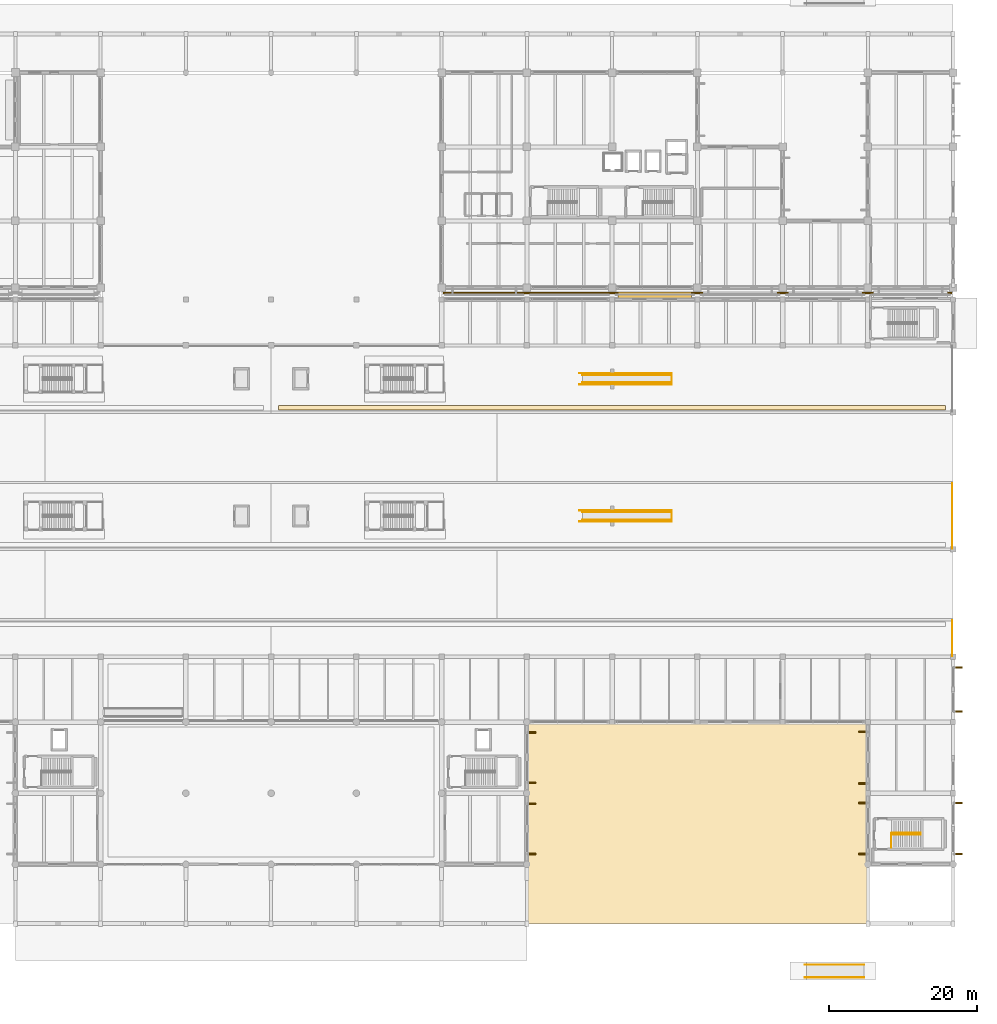
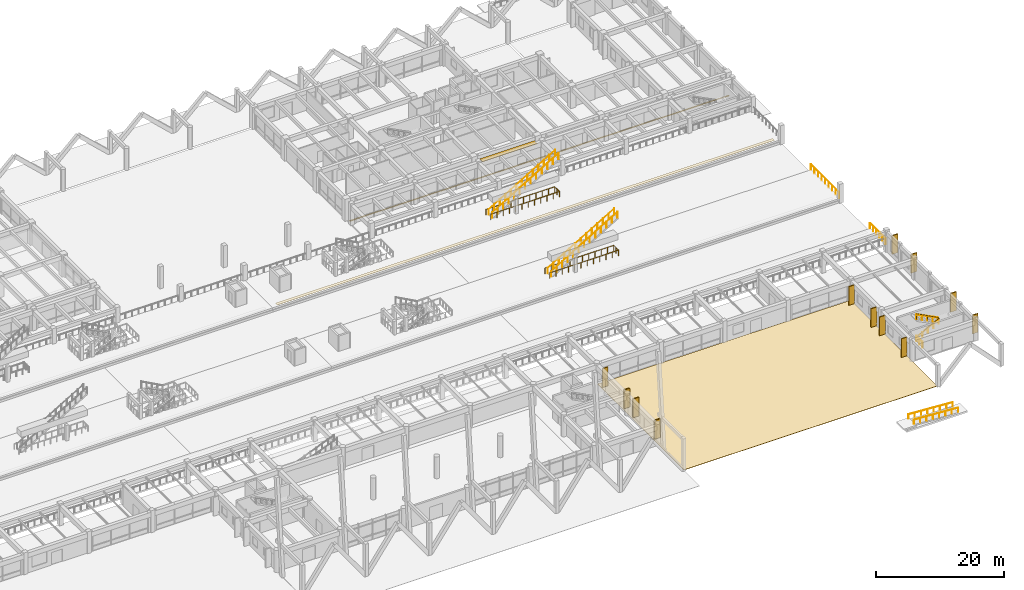
# One storey, part 106 of 109: 14 railings, 13 shading devices, 3 coverings.
"""IFC4 building model written with IfcOpenShell, lengths in metres."""

from ifc_helpers import new_model, si_unit, direction, frame, origin, origin_2d, place, context, subcontext, project, spatial, polyline, rectangle, circle, outline, extrude, material, layer, layer_set, type_object, element, save


model = new_model("IFC4")

# Units and contexts
model_context = context("Model", 3, precision=1e-05, world=origin(), true_north=direction((0.0, 1.0)))
body_context = subcontext(model_context, "Body", "Model", "MODEL_VIEW")
ifc_project = project(units=[si_unit("LENGTHUNIT", "METRE"), si_unit("AREAUNIT", "SQUARE_METRE"), si_unit("VOLUMEUNIT", "CUBIC_METRE"), si_unit("PLANEANGLEUNIT", "RADIAN"), si_unit("MASSUNIT", "GRAM", prefix="KILO")], contexts=[model_context])

# Site, building, storey
site_placement = place(None, origin())
site = spatial("IfcSite", under=ifc_project, at=site_placement, CompositionType="ELEMENT")
building_placement = place(site_placement, origin())
building = spatial("IfcBuilding", under=site, at=building_placement, Name="Ologun Quay Terminus", CompositionType="ELEMENT")
storey_placement = place(building_placement, origin())
storey = spatial("IfcBuildingStorey", under=building, at=storey_placement, Name="L00", CompositionType="ELEMENT", Elevation=0.0)

# Railings
ifc_material_1 = material(Name="Glass", Category="glass")
railing_type_1 = type_object("IfcRailingType", Name="Concourse & Atrium Glazed Balustrade 1150", PredefinedType="BALUSTRADE", material=ifc_material_1)
railing_1_placement = place(storey_placement, frame((134.0, 54.47998046875, 1.25)))
element("IfcRailing", 1, at=railing_1_placement, inside=storey, type_object=railing_type_1, Name="BL-GL Escalator Side Balustrade ESC-02-S", PredefinedType="BALUSTRADE", context=body_context, shape_type="SweptSolid", body=[
    extrude(circle(Radius=0.02392578125, at=origin_2d()), frame((0.0, 0.0, 1.1259765625), z_axis=(0.859071129887, 0.0, 0.511856223752), x_axis=(0.0, 1.0, 0.0)), (0.0, 0.0, 1.0), 13.968505859375),
    extrude(circle(Radius=0.02099609375, at=origin_2d()), origin(), (0.0, 0.0, 1.0), 1.101806640625),
    extrude(circle(Radius=0.02099609375, at=origin_2d()), frame((1.0, 0.0, 0.595703125)), (0.0, 0.0, 1.0), 1.101806640625),
    extrude(circle(Radius=0.02099609375, at=origin_2d()), frame((2.0, 0.0, 1.191650390625)), (0.0, 0.0, 1.0), 1.101806640625),
    extrude(circle(Radius=0.02099609375, at=origin_2d()), frame((3.0, 0.0, 1.78759765625)), (0.0, 0.0, 1.0), 1.101806640625),
    extrude(circle(Radius=0.02099609375, at=origin_2d()), frame((4.0, 0.0, 2.38330078125)), (0.0, 0.0, 1.0), 1.101806640625),
    extrude(circle(Radius=0.02099609375, at=origin_2d()), frame((5.0, 0.0, 2.97900390625)), (0.0, 0.0, 1.0), 1.101806640625),
    extrude(circle(Radius=0.02099609375, at=origin_2d()), frame((6.0, 0.0, 3.574951171875)), (0.0, 0.0, 1.0), 1.101806640625),
    extrude(circle(Radius=0.02099609375, at=origin_2d()), frame((7.0, 0.0, 4.1708984375)), (0.0, 0.0, 1.0), 1.101806640625),
    extrude(circle(Radius=0.02099609375, at=origin_2d()), frame((8.0, 0.0, 4.7666015625)), (0.0, 0.0, 1.0), 1.101806640625),
    extrude(circle(Radius=0.02099609375, at=origin_2d()), frame((9.0, 0.0, 5.3623046875)), (0.0, 0.0, 1.0), 1.101806640625),
    extrude(circle(Radius=0.02099609375, at=origin_2d()), frame((10.0, 0.0, 5.958251953125)), (0.0, 0.0, 1.0), 1.101806640625),
    extrude(circle(Radius=0.02099609375, at=origin_2d()), frame((11.0, 0.0, 6.55419921875)), (0.0, 0.0, 1.0), 1.101806640625),
    extrude(circle(Radius=0.02099609375, at=origin_2d()), frame((12.0, 0.0, 7.14990234375)), (0.0, 0.0, 1.0), 1.101806640625),
])
railing_2_placement = place(storey_placement, frame((134.0, 55.52001953125, 1.25)))
element("IfcRailing", 2, at=railing_2_placement, inside=storey, type_object=railing_type_1, Name="BL-GL Escalator Side Balustrade ESC-02-N", PredefinedType="BALUSTRADE", context=body_context, shape_type="SweptSolid", body=[
    extrude(circle(Radius=0.02392578125, at=origin_2d()), frame((0.0, 0.0, 1.1259765625), z_axis=(0.859071129887, 0.0, 0.511856223752), x_axis=(0.0, 1.0, 0.0)), (0.0, 0.0, 1.0), 13.968505859375),
    extrude(circle(Radius=0.02099609375, at=origin_2d()), origin(), (0.0, 0.0, 1.0), 1.101806640625),
    extrude(circle(Radius=0.02099609375, at=origin_2d()), frame((1.0, 0.0, 0.595703125)), (0.0, 0.0, 1.0), 1.101806640625),
    extrude(circle(Radius=0.02099609375, at=origin_2d()), frame((2.0, 0.0, 1.191650390625)), (0.0, 0.0, 1.0), 1.101806640625),
    extrude(circle(Radius=0.02099609375, at=origin_2d()), frame((3.0, 0.0, 1.78759765625)), (0.0, 0.0, 1.0), 1.101806640625),
    extrude(circle(Radius=0.02099609375, at=origin_2d()), frame((4.0, 0.0, 2.38330078125)), (0.0, 0.0, 1.0), 1.101806640625),
    extrude(circle(Radius=0.02099609375, at=origin_2d()), frame((5.0, 0.0, 2.97900390625)), (0.0, 0.0, 1.0), 1.101806640625),
    extrude(circle(Radius=0.02099609375, at=origin_2d()), frame((6.0, 0.0, 3.574951171875)), (0.0, 0.0, 1.0), 1.101806640625),
    extrude(circle(Radius=0.02099609375, at=origin_2d()), frame((7.0, 0.0, 4.1708984375)), (0.0, 0.0, 1.0), 1.101806640625),
    extrude(circle(Radius=0.02099609375, at=origin_2d()), frame((8.0, 0.0, 4.7666015625)), (0.0, 0.0, 1.0), 1.101806640625),
    extrude(circle(Radius=0.02099609375, at=origin_2d()), frame((9.0, 0.0, 5.3623046875)), (0.0, 0.0, 1.0), 1.101806640625),
    extrude(circle(Radius=0.02099609375, at=origin_2d()), frame((10.0, 0.0, 5.958251953125)), (0.0, 0.0, 1.0), 1.101806640625),
    extrude(circle(Radius=0.02099609375, at=origin_2d()), frame((11.0, 0.0, 6.55419921875)), (0.0, 0.0, 1.0), 1.101806640625),
    extrude(circle(Radius=0.02099609375, at=origin_2d()), frame((12.0, 0.0, 7.14990234375)), (0.0, 0.0, 1.0), 1.101806640625),
])
railing_3_placement = place(storey_placement, frame((134.0, 72.97998046875, 1.25)))
element("IfcRailing", 3, at=railing_3_placement, inside=storey, type_object=railing_type_1, Name="BL-GL Escalator Side Balustrade ESC-04-S", PredefinedType="BALUSTRADE", context=body_context, shape_type="SweptSolid", body=[
    extrude(circle(Radius=0.02392578125, at=origin_2d()), frame((0.0, 0.0, 1.1259765625), z_axis=(0.859071129887, 0.0, 0.511856223752), x_axis=(0.0, 1.0, 0.0)), (0.0, 0.0, 1.0), 13.968505859375),
    extrude(circle(Radius=0.02099609375, at=origin_2d()), origin(), (0.0, 0.0, 1.0), 1.101806640625),
    extrude(circle(Radius=0.02099609375, at=origin_2d()), frame((1.0, 0.0, 0.595703125)), (0.0, 0.0, 1.0), 1.101806640625),
    extrude(circle(Radius=0.02099609375, at=origin_2d()), frame((2.0, 0.0, 1.191650390625)), (0.0, 0.0, 1.0), 1.101806640625),
    extrude(circle(Radius=0.02099609375, at=origin_2d()), frame((3.0, 0.0, 1.78759765625)), (0.0, 0.0, 1.0), 1.101806640625),
    extrude(circle(Radius=0.02099609375, at=origin_2d()), frame((4.0, 0.0, 2.38330078125)), (0.0, 0.0, 1.0), 1.101806640625),
    extrude(circle(Radius=0.02099609375, at=origin_2d()), frame((5.0, 0.0, 2.97900390625)), (0.0, 0.0, 1.0), 1.101806640625),
    extrude(circle(Radius=0.02099609375, at=origin_2d()), frame((6.0, 0.0, 3.574951171875)), (0.0, 0.0, 1.0), 1.101806640625),
    extrude(circle(Radius=0.02099609375, at=origin_2d()), frame((7.0, 0.0, 4.1708984375)), (0.0, 0.0, 1.0), 1.101806640625),
    extrude(circle(Radius=0.02099609375, at=origin_2d()), frame((8.0, 0.0, 4.7666015625)), (0.0, 0.0, 1.0), 1.101806640625),
    extrude(circle(Radius=0.02099609375, at=origin_2d()), frame((9.0, 0.0, 5.3623046875)), (0.0, 0.0, 1.0), 1.101806640625),
    extrude(circle(Radius=0.02099609375, at=origin_2d()), frame((10.0, 0.0, 5.958251953125)), (0.0, 0.0, 1.0), 1.101806640625),
    extrude(circle(Radius=0.02099609375, at=origin_2d()), frame((11.0, 0.0, 6.55419921875)), (0.0, 0.0, 1.0), 1.101806640625),
    extrude(circle(Radius=0.02099609375, at=origin_2d()), frame((12.0, 0.0, 7.14990234375)), (0.0, 0.0, 1.0), 1.101806640625),
])
railing_4_placement = place(storey_placement, frame((134.0, 74.02001953125, 1.25)))
element("IfcRailing", 4, at=railing_4_placement, inside=storey, type_object=railing_type_1, Name="BL-GL Escalator Side Balustrade ESC-04-N", PredefinedType="BALUSTRADE", context=body_context, shape_type="SweptSolid", body=[
    extrude(circle(Radius=0.02392578125, at=origin_2d()), frame((0.0, 0.0, 1.1259765625), z_axis=(0.859071129887, 0.0, 0.511856223752), x_axis=(0.0, 1.0, 0.0)), (0.0, 0.0, 1.0), 13.968505859375),
    extrude(circle(Radius=0.02099609375, at=origin_2d()), origin(), (0.0, 0.0, 1.0), 1.101806640625),
    extrude(circle(Radius=0.02099609375, at=origin_2d()), frame((1.0, 0.0, 0.595703125)), (0.0, 0.0, 1.0), 1.101806640625),
    extrude(circle(Radius=0.02099609375, at=origin_2d()), frame((2.0, 0.0, 1.191650390625)), (0.0, 0.0, 1.0), 1.101806640625),
    extrude(circle(Radius=0.02099609375, at=origin_2d()), frame((3.0, 0.0, 1.78759765625)), (0.0, 0.0, 1.0), 1.101806640625),
    extrude(circle(Radius=0.02099609375, at=origin_2d()), frame((4.0, 0.0, 2.38330078125)), (0.0, 0.0, 1.0), 1.101806640625),
    extrude(circle(Radius=0.02099609375, at=origin_2d()), frame((5.0, 0.0, 2.97900390625)), (0.0, 0.0, 1.0), 1.101806640625),
    extrude(circle(Radius=0.02099609375, at=origin_2d()), frame((6.0, 0.0, 3.574951171875)), (0.0, 0.0, 1.0), 1.101806640625),
    extrude(circle(Radius=0.02099609375, at=origin_2d()), frame((7.0, 0.0, 4.1708984375)), (0.0, 0.0, 1.0), 1.101806640625),
    extrude(circle(Radius=0.02099609375, at=origin_2d()), frame((8.0, 0.0, 4.7666015625)), (0.0, 0.0, 1.0), 1.101806640625),
    extrude(circle(Radius=0.02099609375, at=origin_2d()), frame((9.0, 0.0, 5.3623046875)), (0.0, 0.0, 1.0), 1.101806640625),
    extrude(circle(Radius=0.02099609375, at=origin_2d()), frame((10.0, 0.0, 5.958251953125)), (0.0, 0.0, 1.0), 1.101806640625),
    extrude(circle(Radius=0.02099609375, at=origin_2d()), frame((11.0, 0.0, 6.55419921875)), (0.0, 0.0, 1.0), 1.101806640625),
    extrude(circle(Radius=0.02099609375, at=origin_2d()), frame((12.0, 0.0, 7.14990234375)), (0.0, 0.0, 1.0), 1.101806640625),
])

# Shading device
ifc_material_2 = material(Name="Aluminium 6063-T6", Category="aluminium")
ifc_layer_1 = layer(ifc_material_2, 0.080078125)
ifc_layer_set_1 = layer_set([ifc_layer_1], Name="Aluminium 6063-T6")
shading_device_type_1 = type_object("IfcShadingDeviceType", Name="Horizontal Extruded Aluminium Sun Louvre 900", PredefinedType="JALOUSIE", material=ifc_layer_set_1)
shading_device_placement = place(storey_placement, frame((143.75, 84.780029296875, 3.4599609375), z_axis=(0.0, 0.0, 1.0), x_axis=(1.0, 0.0, 0.0)))
element("IfcShadingDevice", 5, at=shading_device_placement, inside=storey, type_object=shading_device_type_1, Name="SD-01 Sun-Hood WEW-NGW-L00-13", PredefinedType="JALOUSIE", context=body_context, shape_type="SweptSolid", body=[
    extrude(rectangle(XDim=9.9599609375, YDim=0.89990234375, at=origin_2d()), origin(), (0.0, 0.0, 1.0), 0.080078125),
])

# Coverings
ifc_material_3 = material(Name="Precast Concrete C40/50", Category="concrete")
ifc_layer_2 = layer(ifc_material_3, 0.02490234375)
ifc_layer_set_2 = layer_set([ifc_layer_2], Name="Precast Concrete C40/50")
covering_type_1 = type_object("IfcCoveringType", Name="Platform Tactile Blister Warning Strip 25", PredefinedType="USERDEFINED", material=ifc_layer_set_2)
covering_1_placement = place(storey_placement, frame((0.0, 0.0, 1.25)))
element("IfcCovering", 6, at=covering_1_placement, inside=storey, type_object=covering_type_1, Name="CV-TAC Platform Tactile Warning Strip P4", ObjectType="PAVING", PredefinedType="USERDEFINED", context=body_context, shape_type="SweptSolid", body=[
    extrude(outline(polyline([(93.0, 69.300048828125), (183.0, 69.300048828125), (183.0, 69.89990234375), (93.0, 69.89990234375), (93.0, 69.300048828125)])), origin(), (0.0, 0.0, 1.0), 0.02490234375),
])
ifc_material_4 = material(Name="Granite Stone", Category="masonry")
ifc_layer_3 = layer(ifc_material_4, 0.06005859375)
ifc_layer_set_3 = layer_set([ifc_layer_3], Name="Granite Stone")
covering_type_2 = type_object("IfcCoveringType", Name="Quay & Forecourt Bush-Hammered Granite Paving 60", PredefinedType="USERDEFINED", material=ifc_layer_set_3)
covering_2_placement = place(storey_placement, frame((0.0, 0.0, -0.06005859375)))
element("IfcCovering", 7, at=covering_2_placement, inside=storey, type_object=covering_type_2, Name="CV-PVG Exterior Granite Paving FORE-SE", ObjectType="PAVING", PredefinedType="USERDEFINED", context=body_context, shape_type="SweptSolid", body=[
    extrude(outline(polyline([(126.60009765625, 0.0), (172.39990234375, 0.0), (172.39990234375, 27.10009765625), (126.60009765625, 27.10009765625), (126.60009765625, 0.0)])), origin(), (0.0, 0.0, 1.0), 0.06005859375),
])

# Shading devices
ifc_material_5 = material(Name="Concrete C40/50", Category="concrete")
ifc_layer_4 = layer(ifc_material_5, 0.179931640625)
ifc_layer_set_4 = layer_set([ifc_layer_4], Name="Concrete C40/50")
shading_device_type_2 = type_object("IfcShadingDeviceType", Name="Sculpted Concrete Vertical Solar Fin 1050x180", PredefinedType="USERDEFINED", material=ifc_layer_set_4)
for number, where, z_axis, x_axis, name in (
    (8, (127.175048828125, 9.419921875, 0.14990234375), (0.0, 0.0, 1.0), (1.0, 0.0, 0.0), "SD-04 Vertical Solar Fin WEW-SA-L00-2-7-1"),
    (9, (127.175048828125, 16.179931640625, 0.14990234375), (0.0, 0.0, 1.0), (1.0, 0.0, 0.0), "SD-04 Vertical Solar Fin WEW-SA-L00-2-7-2"),
    (10, (127.175048828125, 19.02001953125, 0.14990234375), (0.0, 0.0, 1.0), (1.0, 0.0, 0.0), "SD-04 Vertical Solar Fin WEW-SA-L00-2-8-1"),
    (11, (127.175048828125, 25.780029296875, 0.14990234375), (0.0, 0.0, 1.0), (1.0, 0.0, 0.0), "SD-04 Vertical Solar Fin WEW-SA-L00-2-8-2"),
    (12, (171.824951171875, 9.419921875, 0.14990234375), (0.0, 0.0, 1.0), (1.0, 0.0, 0.0), "SD-04 Vertical Solar Fin WEW-SA-L00-3-5-1"),
    (13, (171.824951171875, 16.280029296875, 0.14990234375), (0.0, 0.0, 1.0), (1.0, 0.0, 0.0), "SD-04 Vertical Solar Fin WEW-SA-L00-3-5-2"),
    (14, (171.824951171875, 18.919921875, 0.14990234375), (0.0, 0.0, 1.0), (1.0, 0.0, 0.0), "SD-04 Vertical Solar Fin WEW-SA-L00-3-6-1"),
    (15, (171.824951171875, 25.8798828125, 0.14990234375), (0.0, 0.0, 1.0), (1.0, 0.0, 0.0), "SD-04 Vertical Solar Fin WEW-SA-L00-3-6-2"),
    (16, (184.675048828125, 9.419921875, 0.14990234375), (0.0, 0.0, 1.0), (1.0, 0.0, 0.0), "SD-04 Vertical Solar Fin WEW-SA-L00-3-8-1"),
    (17, (184.675048828125, 16.280029296875, 0.14990234375), (0.0, 0.0, 1.0), (1.0, 0.0, 0.0), "SD-04 Vertical Solar Fin WEW-SA-L00-3-8-2"),
    (18, (184.675048828125, 28.6201171875, 0.14990234375), (0.0, 0.0, 1.0), (1.0, 0.0, 0.0), "SD-04 Vertical Solar Fin WEW-SA-L00-3-10-1"),
    (19, (184.675048828125, 34.554931640625, 0.14990234375), (0.0, 0.0, 1.0), (1.0, 0.0, 0.0), "SD-04 Vertical Solar Fin WEW-SA-L00-3-10-2"),
):
    element("IfcShadingDevice", number, at=place(storey_placement, frame(where, z_axis=z_axis, x_axis=x_axis)), inside=storey, type_object=shading_device_type_2, Name=name, ObjectType="SOLAR FIN", PredefinedType="USERDEFINED", context=body_context, shape_type="SweptSolid", body=[
        extrude(rectangle(XDim=1.050048828125, YDim=0.179931640625, at=origin_2d()), origin(), (0.0, 0.0, 1.0), 3.580078125),
    ])

# Covering
ifc_material_6 = material(Name="Steel S355", Category="steel")
ifc_layer_5 = layer(ifc_material_6, 0.034912109375)
ifc_layer_set_5 = layer_set([ifc_layer_5], Name="Steel S355")
covering_type_3 = type_object("IfcCoveringType", Name="Stainless Steel Seismic Joint Cover Plate 35", PredefinedType="FLOORING", material=ifc_layer_set_5)
covering_3_placement = place(storey_placement, origin())
element("IfcCovering", 20, at=covering_3_placement, inside=storey, type_object=covering_type_3, Name="CV-MJC Seismic Joint Cover Plate L00-E", PredefinedType="FLOORING", context=body_context, shape_type="SweptSolid", body=[
    extrude(outline(polyline([(115.199951171875, 84.9560546875), (183.800048828125, 84.9560546875), (183.800048828125, 85.156005859375), (115.199951171875, 85.156005859375), (115.199951171875, 84.9560546875)])), origin(), (0.0, 0.0, 1.0), 0.034912109375),
])

# Railings
ifc_material_7 = material(Name="Steel S355", Category="steel")
railing_type_2 = type_object("IfcRailingType", Name="Stair & Landing Steel Guardrail 1100", PredefinedType="GUARDRAIL", material=ifc_material_7)
railing_5_placement = place(storey_placement, frame((175.659912109375, 12.18994140625, 0.0)))
element("IfcRailing", 21, at=railing_5_placement, inside=storey, type_object=railing_type_2, Name="GR-ST Stair Floor Edge Guard ST-S2 L00", PredefinedType="GUARDRAIL", context=body_context, shape_type="SweptSolid", body=[
    extrude(circle(Radius=0.02392578125, at=origin_2d()), frame((0.0, 0.0, 1.076171875), z_axis=(0.0, -1.0, 0.0), x_axis=(1.0, 0.0, 0.0)), (0.0, 0.0, 1.0), 1.929931640625),
    extrude(circle(Radius=0.02099609375, at=origin_2d()), origin(), (0.0, 0.0, 1.0), 1.052001953125),
    extrude(circle(Radius=0.02099609375, at=origin_2d()), frame((0.0, -0.96484375, 0.0)), (0.0, 0.0, 1.0), 1.052001953125),
    extrude(circle(Radius=0.02099609375, at=origin_2d()), frame((0.0, -1.929931640625, 0.0)), (0.0, 0.0, 1.0), 1.052001953125),
])
railing_6_placement = place(storey_placement, frame((175.699951171875, 12.0, 0.0)))
element("IfcRailing", 22, at=railing_6_placement, inside=storey, type_object=railing_type_2, Name="GR-ST Stair Inner Well Guard ST-S2 L00", PredefinedType="GUARDRAIL", context=body_context, shape_type="SweptSolid", body=[
    extrude(circle(Radius=0.02392578125, at=origin_2d()), frame((0.0, 0.0, 1.076171875), z_axis=(0.881967403671, 0.0, 0.471310406062), x_axis=(0.0, 1.0, 0.0)), (0.0, 0.0, 1.0), 4.455810546875),
    extrude(circle(Radius=0.02392578125, at=origin_2d()), frame((3.929931640625, 0.0, 3.17626953125), z_axis=(0.0, 1.0, 0.0), x_axis=(-1.0, 0.0, 0.0)), (0.0, 0.0, 1.0), 0.199951171875),
    extrude(circle(Radius=0.02392578125, at=origin_2d()), frame((3.929931640625, 0.199951171875, 3.17626953125), z_axis=(-0.881990178689, 0.0, 0.471267784488), x_axis=(0.0, -1.0, 0.0)), (0.0, 0.0, 1.0), 4.455810546875),
    extrude(circle(Radius=0.02099609375, at=origin_2d()), origin(), (0.0, 0.0, 1.0), 1.052001953125),
    extrude(circle(Radius=0.02099609375, at=origin_2d()), frame((0.982421875, 0.0, 0.52490234375)), (0.0, 0.0, 1.0), 1.052001953125),
    extrude(circle(Radius=0.02099609375, at=origin_2d()), frame((1.96484375, 0.0, 1.050048828125)), (0.0, 0.0, 1.0), 1.052001953125),
    extrude(circle(Radius=0.02099609375, at=origin_2d()), frame((2.947509765625, 0.0, 1.5751953125)), (0.0, 0.0, 1.0), 1.052001953125),
    extrude(circle(Radius=0.02099609375, at=origin_2d()), frame((3.929931640625, 0.0, 2.10009765625)), (0.0, 0.0, 1.0), 1.052001953125),
    extrude(circle(Radius=0.02099609375, at=origin_2d()), frame((3.929931640625, 0.199951171875, 2.10009765625)), (0.0, 0.0, 1.0), 1.052001953125),
    extrude(circle(Radius=0.02099609375, at=origin_2d()), frame((2.947509765625, 0.199951171875, 2.625)), (0.0, 0.0, 1.0), 1.052001953125),
    extrude(circle(Radius=0.02099609375, at=origin_2d()), frame((1.96484375, 0.199951171875, 3.14990234375)), (0.0, 0.0, 1.0), 1.052001953125),
    extrude(circle(Radius=0.02099609375, at=origin_2d()), frame((0.982421875, 0.199951171875, 3.675048828125)), (0.0, 0.0, 1.0), 1.052001953125),
    extrude(circle(Radius=0.02099609375, at=origin_2d()), frame((0.0, 0.199951171875, 4.199951171875)), (0.0, 0.0, 1.0), 1.052001953125),
])
railing_7_placement = place(storey_placement, frame((133.60009765625, 54.25, 1.25)))
element("IfcRailing", 23, at=railing_7_placement, inside=storey, type_object=railing_type_2, Name="GR-ST Escalator Platform Guard ESC-02 L00", PredefinedType="GUARDRAIL", context=body_context, shape_type="SweptSolid", body=[
    extrude(circle(Radius=0.02392578125, at=origin_2d()), frame((0.0, 0.0, 1.076171875), z_axis=(1.0, 0.0, 0.0), x_axis=(0.0, 1.0, 0.0)), (0.0, 0.0, 1.0), 12.449951171875),
    extrude(circle(Radius=0.02392578125, at=origin_2d()), frame((12.449951171875, 0.0, 1.076171875), z_axis=(0.0, 1.0, 0.0), x_axis=(-1.0, 0.0, 0.0)), (0.0, 0.0, 1.0), 1.5),
    extrude(circle(Radius=0.02392578125, at=origin_2d()), frame((12.449951171875, 1.5, 1.076171875), z_axis=(-1.0, 0.0, 0.0), x_axis=(0.0, -1.0, 0.0)), (0.0, 0.0, 1.0), 12.449951171875),
    extrude(circle(Radius=0.02099609375, at=origin_2d()), origin(), (0.0, 0.0, 1.0), 1.052001953125),
    extrude(circle(Radius=0.02099609375, at=origin_2d()), frame((1.1318359375, 0.0, 0.0)), (0.0, 0.0, 1.0), 1.052001953125),
    extrude(circle(Radius=0.02099609375, at=origin_2d()), frame((2.263671875, 0.0, 0.0)), (0.0, 0.0, 1.0), 1.052001953125),
    extrude(circle(Radius=0.02099609375, at=origin_2d()), frame((3.3955078125, 0.0, 0.0)), (0.0, 0.0, 1.0), 1.052001953125),
    extrude(circle(Radius=0.02099609375, at=origin_2d()), frame((4.52734375, 0.0, 0.0)), (0.0, 0.0, 1.0), 1.052001953125),
    extrude(circle(Radius=0.02099609375, at=origin_2d()), frame((5.6591796875, 0.0, 0.0)), (0.0, 0.0, 1.0), 1.052001953125),
    extrude(circle(Radius=0.02099609375, at=origin_2d()), frame((6.790771484375, 0.0, 0.0)), (0.0, 0.0, 1.0), 1.052001953125),
    extrude(circle(Radius=0.02099609375, at=origin_2d()), frame((7.922607421875, 0.0, 0.0)), (0.0, 0.0, 1.0), 1.052001953125),
    extrude(circle(Radius=0.02099609375, at=origin_2d()), frame((9.054443359375, 0.0, 0.0)), (0.0, 0.0, 1.0), 1.052001953125),
    extrude(circle(Radius=0.02099609375, at=origin_2d()), frame((10.186279296875, 0.0, 0.0)), (0.0, 0.0, 1.0), 1.052001953125),
    extrude(circle(Radius=0.02099609375, at=origin_2d()), frame((11.318115234375, 0.0, 0.0)), (0.0, 0.0, 1.0), 1.052001953125),
    extrude(circle(Radius=0.02099609375, at=origin_2d()), frame((12.449951171875, 0.0, 0.0)), (0.0, 0.0, 1.0), 1.052001953125),
    extrude(circle(Radius=0.02099609375, at=origin_2d()), frame((12.449951171875, 0.75, 0.0)), (0.0, 0.0, 1.0), 1.052001953125),
    extrude(circle(Radius=0.02099609375, at=origin_2d()), frame((12.449951171875, 1.5, 0.0)), (0.0, 0.0, 1.0), 1.052001953125),
    extrude(circle(Radius=0.02099609375, at=origin_2d()), frame((11.318115234375, 1.5, 0.0)), (0.0, 0.0, 1.0), 1.052001953125),
    extrude(circle(Radius=0.02099609375, at=origin_2d()), frame((10.186279296875, 1.5, 0.0)), (0.0, 0.0, 1.0), 1.052001953125),
    extrude(circle(Radius=0.02099609375, at=origin_2d()), frame((9.054443359375, 1.5, 0.0)), (0.0, 0.0, 1.0), 1.052001953125),
    extrude(circle(Radius=0.02099609375, at=origin_2d()), frame((7.922607421875, 1.5, 0.0)), (0.0, 0.0, 1.0), 1.052001953125),
    extrude(circle(Radius=0.02099609375, at=origin_2d()), frame((6.790771484375, 1.5, 0.0)), (0.0, 0.0, 1.0), 1.052001953125),
    extrude(circle(Radius=0.02099609375, at=origin_2d()), frame((5.6591796875, 1.5, 0.0)), (0.0, 0.0, 1.0), 1.052001953125),
    extrude(circle(Radius=0.02099609375, at=origin_2d()), frame((4.52734375, 1.5, 0.0)), (0.0, 0.0, 1.0), 1.052001953125),
    extrude(circle(Radius=0.02099609375, at=origin_2d()), frame((3.3955078125, 1.5, 0.0)), (0.0, 0.0, 1.0), 1.052001953125),
    extrude(circle(Radius=0.02099609375, at=origin_2d()), frame((2.263671875, 1.5, 0.0)), (0.0, 0.0, 1.0), 1.052001953125),
    extrude(circle(Radius=0.02099609375, at=origin_2d()), frame((1.1318359375, 1.5, 0.0)), (0.0, 0.0, 1.0), 1.052001953125),
    extrude(circle(Radius=0.02099609375, at=origin_2d()), frame((0.0, 1.5, 0.0)), (0.0, 0.0, 1.0), 1.052001953125),
])
railing_8_placement = place(storey_placement, frame((133.60009765625, 72.75, 1.25)))
element("IfcRailing", 24, at=railing_8_placement, inside=storey, type_object=railing_type_2, Name="GR-ST Escalator Platform Guard ESC-04 L00", PredefinedType="GUARDRAIL", context=body_context, shape_type="SweptSolid", body=[
    extrude(circle(Radius=0.02392578125, at=origin_2d()), frame((0.0, 0.0, 1.076171875), z_axis=(1.0, 0.0, 0.0), x_axis=(0.0, 1.0, 0.0)), (0.0, 0.0, 1.0), 12.449951171875),
    extrude(circle(Radius=0.02392578125, at=origin_2d()), frame((12.449951171875, 0.0, 1.076171875), z_axis=(0.0, 1.0, 0.0), x_axis=(-1.0, 0.0, 0.0)), (0.0, 0.0, 1.0), 1.5),
    extrude(circle(Radius=0.02392578125, at=origin_2d()), frame((12.449951171875, 1.5, 1.076171875), z_axis=(-1.0, 0.0, 0.0), x_axis=(0.0, -1.0, 0.0)), (0.0, 0.0, 1.0), 12.449951171875),
    extrude(circle(Radius=0.02099609375, at=origin_2d()), origin(), (0.0, 0.0, 1.0), 1.052001953125),
    extrude(circle(Radius=0.02099609375, at=origin_2d()), frame((1.1318359375, 0.0, 0.0)), (0.0, 0.0, 1.0), 1.052001953125),
    extrude(circle(Radius=0.02099609375, at=origin_2d()), frame((2.263671875, 0.0, 0.0)), (0.0, 0.0, 1.0), 1.052001953125),
    extrude(circle(Radius=0.02099609375, at=origin_2d()), frame((3.3955078125, 0.0, 0.0)), (0.0, 0.0, 1.0), 1.052001953125),
    extrude(circle(Radius=0.02099609375, at=origin_2d()), frame((4.52734375, 0.0, 0.0)), (0.0, 0.0, 1.0), 1.052001953125),
    extrude(circle(Radius=0.02099609375, at=origin_2d()), frame((5.6591796875, 0.0, 0.0)), (0.0, 0.0, 1.0), 1.052001953125),
    extrude(circle(Radius=0.02099609375, at=origin_2d()), frame((6.790771484375, 0.0, 0.0)), (0.0, 0.0, 1.0), 1.052001953125),
    extrude(circle(Radius=0.02099609375, at=origin_2d()), frame((7.922607421875, 0.0, 0.0)), (0.0, 0.0, 1.0), 1.052001953125),
    extrude(circle(Radius=0.02099609375, at=origin_2d()), frame((9.054443359375, 0.0, 0.0)), (0.0, 0.0, 1.0), 1.052001953125),
    extrude(circle(Radius=0.02099609375, at=origin_2d()), frame((10.186279296875, 0.0, 0.0)), (0.0, 0.0, 1.0), 1.052001953125),
    extrude(circle(Radius=0.02099609375, at=origin_2d()), frame((11.318115234375, 0.0, 0.0)), (0.0, 0.0, 1.0), 1.052001953125),
    extrude(circle(Radius=0.02099609375, at=origin_2d()), frame((12.449951171875, 0.0, 0.0)), (0.0, 0.0, 1.0), 1.052001953125),
    extrude(circle(Radius=0.02099609375, at=origin_2d()), frame((12.449951171875, 0.75, 0.0)), (0.0, 0.0, 1.0), 1.052001953125),
    extrude(circle(Radius=0.02099609375, at=origin_2d()), frame((12.449951171875, 1.5, 0.0)), (0.0, 0.0, 1.0), 1.052001953125),
    extrude(circle(Radius=0.02099609375, at=origin_2d()), frame((11.318115234375, 1.5, 0.0)), (0.0, 0.0, 1.0), 1.052001953125),
    extrude(circle(Radius=0.02099609375, at=origin_2d()), frame((10.186279296875, 1.5, 0.0)), (0.0, 0.0, 1.0), 1.052001953125),
    extrude(circle(Radius=0.02099609375, at=origin_2d()), frame((9.054443359375, 1.5, 0.0)), (0.0, 0.0, 1.0), 1.052001953125),
    extrude(circle(Radius=0.02099609375, at=origin_2d()), frame((7.922607421875, 1.5, 0.0)), (0.0, 0.0, 1.0), 1.052001953125),
    extrude(circle(Radius=0.02099609375, at=origin_2d()), frame((6.790771484375, 1.5, 0.0)), (0.0, 0.0, 1.0), 1.052001953125),
    extrude(circle(Radius=0.02099609375, at=origin_2d()), frame((5.6591796875, 1.5, 0.0)), (0.0, 0.0, 1.0), 1.052001953125),
    extrude(circle(Radius=0.02099609375, at=origin_2d()), frame((4.52734375, 1.5, 0.0)), (0.0, 0.0, 1.0), 1.052001953125),
    extrude(circle(Radius=0.02099609375, at=origin_2d()), frame((3.3955078125, 1.5, 0.0)), (0.0, 0.0, 1.0), 1.052001953125),
    extrude(circle(Radius=0.02099609375, at=origin_2d()), frame((2.263671875, 1.5, 0.0)), (0.0, 0.0, 1.0), 1.052001953125),
    extrude(circle(Radius=0.02099609375, at=origin_2d()), frame((1.1318359375, 1.5, 0.0)), (0.0, 0.0, 1.0), 1.052001953125),
    extrude(circle(Radius=0.02099609375, at=origin_2d()), frame((0.0, 1.5, 0.0)), (0.0, 0.0, 1.0), 1.052001953125),
])
railing_9_placement = place(storey_placement, frame((183.8798828125, 50.580078125, 1.25)))
element("IfcRailing", 25, at=railing_9_placement, inside=storey, type_object=railing_type_2, Name="GR-ST Platform 1 E End Guard L00", PredefinedType="GUARDRAIL", context=body_context, shape_type="SweptSolid", body=[
    extrude(circle(Radius=0.02392578125, at=origin_2d()), frame((0.0, 0.0, 1.076171875), z_axis=(0.0, 1.0, 0.0), x_axis=(-1.0, 0.0, 0.0)), (0.0, 0.0, 1.0), 8.83984375),
    extrude(circle(Radius=0.02099609375, at=origin_2d()), origin(), (0.0, 0.0, 1.0), 1.052001953125),
    extrude(circle(Radius=0.02099609375, at=origin_2d()), frame((0.0, 1.10498046875, 0.0)), (0.0, 0.0, 1.0), 1.052001953125),
    extrude(circle(Radius=0.02099609375, at=origin_2d()), frame((0.0, 2.2099609375, 0.0)), (0.0, 0.0, 1.0), 1.052001953125),
    extrude(circle(Radius=0.02099609375, at=origin_2d()), frame((0.0, 3.31494140625, 0.0)), (0.0, 0.0, 1.0), 1.052001953125),
    extrude(circle(Radius=0.02099609375, at=origin_2d()), frame((0.0, 4.419921875, 0.0)), (0.0, 0.0, 1.0), 1.052001953125),
    extrude(circle(Radius=0.02099609375, at=origin_2d()), frame((0.0, 5.52490234375, 0.0)), (0.0, 0.0, 1.0), 1.052001953125),
    extrude(circle(Radius=0.02099609375, at=origin_2d()), frame((0.0, 6.6298828125, 0.0)), (0.0, 0.0, 1.0), 1.052001953125),
    extrude(circle(Radius=0.02099609375, at=origin_2d()), frame((0.0, 7.73486328125, 0.0)), (0.0, 0.0, 1.0), 1.052001953125),
    extrude(circle(Radius=0.02099609375, at=origin_2d()), frame((0.0, 8.83984375, 0.0)), (0.0, 0.0, 1.0), 1.052001953125),
])
railing_10_placement = place(storey_placement, frame((183.8798828125, 36.080078125, 1.25)))
element("IfcRailing", 26, at=railing_10_placement, inside=storey, type_object=railing_type_2, Name="GR-ST Platform 3 E End Guard L00", PredefinedType="GUARDRAIL", context=body_context, shape_type="SweptSolid", body=[
    extrude(circle(Radius=0.02392578125, at=origin_2d()), frame((0.0, 0.0, 1.076171875), z_axis=(0.0, 1.0, 0.0), x_axis=(-1.0, 0.0, 0.0)), (0.0, 0.0, 1.0), 4.83984375),
    extrude(circle(Radius=0.02099609375, at=origin_2d()), origin(), (0.0, 0.0, 1.0), 1.052001953125),
    extrude(circle(Radius=0.02099609375, at=origin_2d()), frame((0.0, 0.968017578125, 0.0)), (0.0, 0.0, 1.0), 1.052001953125),
    extrude(circle(Radius=0.02099609375, at=origin_2d()), frame((0.0, 1.93603515625, 0.0)), (0.0, 0.0, 1.0), 1.052001953125),
    extrude(circle(Radius=0.02099609375, at=origin_2d()), frame((0.0, 2.90380859375, 0.0)), (0.0, 0.0, 1.0), 1.052001953125),
    extrude(circle(Radius=0.02099609375, at=origin_2d()), frame((0.0, 3.871826171875, 0.0)), (0.0, 0.0, 1.0), 1.052001953125),
    extrude(circle(Radius=0.02099609375, at=origin_2d()), frame((0.0, 4.83984375, 0.0)), (0.0, 0.0, 1.0), 1.052001953125),
])
ifc_material_8 = material(Name="Steel S355", Category="steel")
railing_type_3 = type_object("IfcRailingType", Name="Stair Stainless Tubular Handrail 920", PredefinedType="HANDRAIL", material=ifc_material_8)
railing_11_placement = place(storey_placement, frame((175.699951171875, 11.989990234375, 0.14990234375)))
element("IfcRailing", 27, at=railing_11_placement, inside=storey, type_object=railing_type_3, Name="HR-ST Handrail ST-S2-F1 L00", PredefinedType="HANDRAIL", context=body_context, shape_type="SweptSolid", body=[
    extrude(circle(Radius=0.02392578125, at=origin_2d()), frame((0.0, 0.0, 0.89599609375), z_axis=(0.894415993023, 0.0, 0.447235990752), x_axis=(0.0, 1.0, 0.0)), (0.0, 0.0, 1.0), 4.360595703125),
    extrude(circle(Radius=0.02099609375, at=origin_2d()), origin(), (0.0, 0.0, 1.0), 0.871826171875),
    extrude(circle(Radius=0.02099609375, at=origin_2d()), frame((0.97509765625, 0.0, 0.487548828125)), (0.0, 0.0, 1.0), 0.871826171875),
    extrude(circle(Radius=0.02099609375, at=origin_2d()), frame((1.9501953125, 0.0, 0.97509765625)), (0.0, 0.0, 1.0), 0.871826171875),
    extrude(circle(Radius=0.02099609375, at=origin_2d()), frame((2.925048828125, 0.0, 1.462646484375)), (0.0, 0.0, 1.0), 0.871826171875),
    extrude(circle(Radius=0.02099609375, at=origin_2d()), frame((3.900146484375, 0.0, 1.9501953125)), (0.0, 0.0, 1.0), 0.871826171875),
])
railing_12_placement = place(storey_placement, frame((179.60009765625, 12.2099609375, 2.25)))
element("IfcRailing", 28, at=railing_12_placement, inside=storey, type_object=railing_type_3, Name="HR-ST Handrail ST-S2-F2 L00", PredefinedType="HANDRAIL", context=body_context, shape_type="SweptSolid", body=[
    extrude(circle(Radius=0.02392578125, at=origin_2d()), frame((0.0, 0.0, 0.89599609375), z_axis=(-0.894438388696, 0.0, 0.447191199406), x_axis=(0.0, -1.0, 0.0)), (0.0, 0.0, 1.0), 4.3603515625),
    extrude(circle(Radius=0.02099609375, at=origin_2d()), origin(), (0.0, 0.0, 1.0), 0.871826171875),
    extrude(circle(Radius=0.02099609375, at=origin_2d()), frame((-0.97509765625, 0.0, 0.487548828125)), (0.0, 0.0, 1.0), 0.871826171875),
    extrude(circle(Radius=0.02099609375, at=origin_2d()), frame((-1.9501953125, 0.0, 0.97509765625)), (0.0, 0.0, 1.0), 0.871826171875),
    extrude(circle(Radius=0.02099609375, at=origin_2d()), frame((-2.925048828125, 0.0, 1.46240234375)), (0.0, 0.0, 1.0), 0.871826171875),
    extrude(circle(Radius=0.02099609375, at=origin_2d()), frame((-3.900146484375, 0.0, 1.949951171875)), (0.0, 0.0, 1.0), 0.871826171875),
])
for number, where, name in (
    (29, (172.0, -7.25, -0.5), "HR-ST Ramp Handrail RMP-S-E-S"),
    (30, (172.0, -5.550048828125, -0.5), "HR-ST Ramp Handrail RMP-S-E-N"),
):
    element("IfcRailing", number, at=place(storey_placement, frame(where)), inside=storey, type_object=railing_type_3, Name=name, PredefinedType="HANDRAIL", context=body_context, shape_type="SweptSolid", body=[
        extrude(circle(Radius=0.02392578125, at=origin_2d()), frame((0.0, 0.0, 0.89599609375), z_axis=(-0.998052578483, 0.0, 0.062378286155), x_axis=(0.0, -1.0, 0.0)), (0.0, 0.0, 1.0), 8.015625),
        extrude(circle(Radius=0.02099609375, at=origin_2d()), origin(), (0.0, 0.0, 1.0), 0.871826171875),
        extrude(circle(Radius=0.02099609375, at=origin_2d()), frame((-1.142822265625, 0.0, 0.071533203125)), (0.0, 0.0, 1.0), 0.871826171875),
        extrude(circle(Radius=0.02099609375, at=origin_2d()), frame((-2.28564453125, 0.0, 0.142822265625)), (0.0, 0.0, 1.0), 0.871826171875),
        extrude(circle(Radius=0.02099609375, at=origin_2d()), frame((-3.428466796875, 0.0, 0.21435546875)), (0.0, 0.0, 1.0), 0.871826171875),
        extrude(circle(Radius=0.02099609375, at=origin_2d()), frame((-4.571533203125, 0.0, 0.28564453125)), (0.0, 0.0, 1.0), 0.871826171875),
        extrude(circle(Radius=0.02099609375, at=origin_2d()), frame((-5.71435546875, 0.0, 0.357177734375)), (0.0, 0.0, 1.0), 0.871826171875),
        extrude(circle(Radius=0.02099609375, at=origin_2d()), frame((-6.857177734375, 0.0, 0.428466796875)), (0.0, 0.0, 1.0), 0.871826171875),
        extrude(circle(Radius=0.02099609375, at=origin_2d()), frame((-8.0, 0.0, 0.5)), (0.0, 0.0, 1.0), 0.871826171875),
    ])

save(model, "model.ifc")
